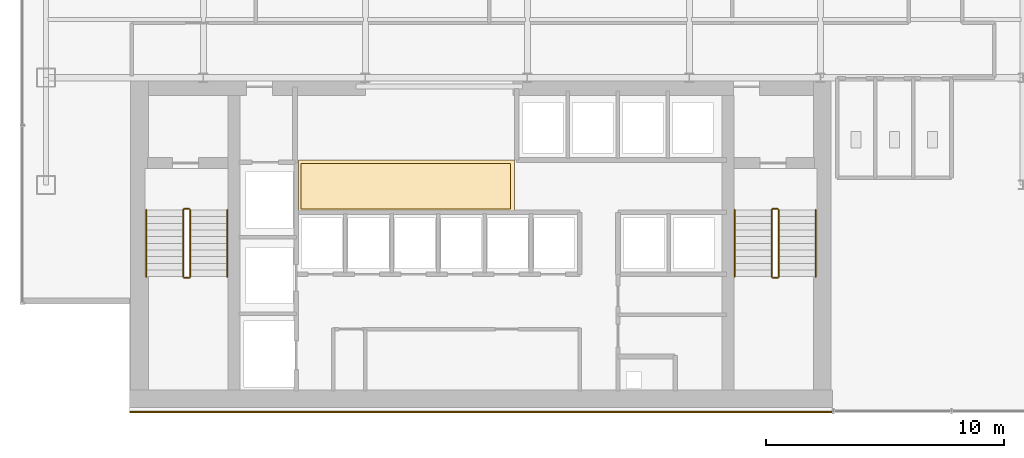
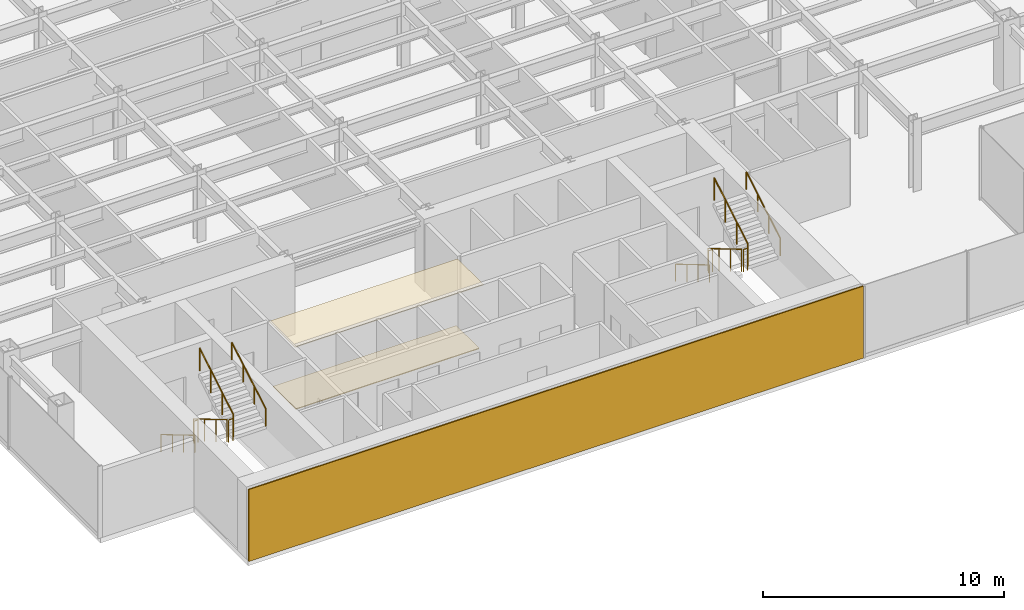
# One storey, part 24 of 26: 12 railings, 3 coverings.
"""IFC4 building model written with IfcOpenShell, lengths in metres."""

import ifcopenshell
import ifcopenshell.guid

model = None  # the IFC model being written
_history = None  # IfcOwnerHistory: only IFC2X3 demands one
_inside = {}  # id of a spatial element -> (the spatial element, [elements in it])
_under = {}  # id of a project, library or spatial element -> (it, [spatial elements below it])
_declared = {}  # id of a project -> (the project, [libraries it declares])
_typed = {}  # id of a type object -> (the type object, [elements of that type])
_made_of = {}  # id of a material, layer set ... -> (it, [elements and type objects made of it])


def new_model(schema):
    """Start an empty IFC model of exactly this schema.

    Asked for "IFC4X3", IfcOpenShell would pick the latest addendum, in which some entities
    have other attributes; the version numbers below select the first issue.
    IFC2X3 requires an IfcOwnerHistory on every rooted entity: one is made here for all.
    """
    global model, _history
    if schema == "IFC4X3":
        model = ifcopenshell.file(schema_version=(4, 3, 0, 0))
    else:
        model = ifcopenshell.file(schema=schema)
    _inside.clear()
    _under.clear()
    _declared.clear()
    _typed.clear()
    _made_of.clear()
    _history = None
    if model.schema == "IFC2X3":
        org = make("IfcOrganization", Name="unknown")
        user = make(
            "IfcPersonAndOrganization",
            ThePerson=make("IfcPerson", FamilyName="unknown"),
            TheOrganization=org,
        )
        app = make(
            "IfcApplication",
            ApplicationDeveloper=org,
            Version="unknown",
            ApplicationFullName="unknown",
            ApplicationIdentifier="unknown",
        )
        _history = make(
            "IfcOwnerHistory",
            OwningUser=user,
            OwningApplication=app,
            ChangeAction="ADDED",
            CreationDate=0,
        )
    return model


def make(cls, **values):
    """One entity of the class cls with the attributes given. An attribute that is None is left unset."""
    return model.create_entity(
        cls, **{name: value for name, value in values.items() if value is not None}
    )


def rooted(cls, **values):
    """An entity with a GlobalId (a new one), such as an element, a storey or a relation."""
    return make(cls, GlobalId=ifcopenshell.guid.new(), OwnerHistory=_history, **values)


def si_unit(unit_type, name, prefix=None):
    """IfcSIUnit, for example si_unit("LENGTHUNIT", "METRE", prefix="MILLI")."""
    return make("IfcSIUnit", UnitType=unit_type, Prefix=prefix, Name=name)


def derived_unit(unit_type, elements):
    """IfcDerivedUnit: a product of units, each with its exponent."""
    return make(
        "IfcDerivedUnit",
        Elements=[
            make("IfcDerivedUnitElement", Unit=unit, Exponent=power)
            for unit, power in elements
        ],
        UnitType=unit_type,
    )


def assignment(units):
    """IfcUnitAssignment: the units of a project."""
    return None if units is None else make("IfcUnitAssignment", Units=units)


def point(xyz):
    """IfcCartesianPoint."""
    return None if xyz is None else make("IfcCartesianPoint", Coordinates=xyz)


def direction(xyz):
    """IfcDirection."""
    return None if xyz is None else make("IfcDirection", DirectionRatios=xyz)


def frame(location, z_axis=None, x_axis=None):
    """IfcAxis2Placement3D, a coordinate frame: its origin and axes. An axis left out is left unset."""
    return make(
        "IfcAxis2Placement3D",
        Location=point(location),
        Axis=direction(z_axis),
        RefDirection=direction(x_axis),
    )


def frame_2d(location, x_axis=None):
    """IfcAxis2Placement2D, a coordinate frame in the plane: its origin and x axis."""
    return make(
        "IfcAxis2Placement2D", Location=point(location), RefDirection=direction(x_axis)
    )


def origin():
    """The frame at (0, 0, 0) with its axes left unset."""
    return frame((0.0, 0.0, 0.0))


def origin_2d():
    """The frame at (0, 0) in the plane with its x axis left unset."""
    return frame_2d((0.0, 0.0))


def place(relative_to, where):
    """IfcLocalPlacement: puts the frame where relative to a parent placement (None: the world)."""
    return make(
        "IfcLocalPlacement", PlacementRelTo=relative_to, RelativePlacement=where
    )


def context(
    kind, dimensions, precision=None, world=None, true_north=None, identifier=None
):
    """IfcGeometricRepresentationContext, for example the 3D "Model" context."""
    return make(
        "IfcGeometricRepresentationContext",
        ContextIdentifier=identifier,
        ContextType=kind,
        CoordinateSpaceDimension=dimensions,
        Precision=precision,
        WorldCoordinateSystem=world,
        TrueNorth=true_north,
    )


def subcontext(parent, identifier, kind, view, scale=None):
    """IfcGeometricRepresentationSubContext, for example "Body" below "Model"."""
    return make(
        "IfcGeometricRepresentationSubContext",
        ContextIdentifier=identifier,
        ContextType=kind,
        ParentContext=parent,
        TargetScale=scale,
        TargetView=view,
    )


def project(units=None, contexts=None):
    """IfcProject with its units and contexts."""
    return rooted(
        "IfcProject",
        Name="project",
        RepresentationContexts=contexts,
        UnitsInContext=assignment(units),
    )


def spatial(cls, under=None, at=None, **own):
    """A site, building, storey or space (cls), placed at a placement, below another one or the project."""
    s = rooted(cls, ObjectPlacement=at, **own)
    if under is not None:
        _under.setdefault(under.id(), (under, []))[1].append(s)
    return s


def polyline(points):
    """IfcPolyline through the points."""
    return make("IfcPolyline", Points=[point(p) for p in points])


def profile(cls, at=None, kind="AREA", **sizes):
    """A parametric profile (cls). Its sizes go by their IFC names, for example OverallWidth=200.0."""
    return make(cls, ProfileType=kind, Position=at, **sizes)


def rectangle(**sizes):
    """IfcRectangleProfileDef."""
    return profile("IfcRectangleProfileDef", **sizes)


def circle(**sizes):
    """IfcCircleProfileDef."""
    return profile("IfcCircleProfileDef", **sizes)


def outline(outer, holes=None, kind="AREA"):
    """IfcArbitraryClosedProfileDef: a profile drawn as a closed curve; with holes, ...WithVoids."""
    if holes is None:
        return make("IfcArbitraryClosedProfileDef", ProfileType=kind, OuterCurve=outer)
    return make(
        "IfcArbitraryProfileDefWithVoids",
        ProfileType=kind,
        OuterCurve=outer,
        InnerCurves=holes,
    )


def extrude(swept, where, along, depth):
    """IfcExtrudedAreaSolid: the profile swept, set in the frame where, extruded along a direction by depth."""
    return make(
        "IfcExtrudedAreaSolid",
        SweptArea=swept,
        Position=where,
        ExtrudedDirection=direction(along),
        Depth=depth,
    )


def shape(context_of_items, identifier, shape_type, items):
    """IfcShapeRepresentation: the items that make up one representation, for example the "Body"."""
    return make(
        "IfcShapeRepresentation",
        ContextOfItems=context_of_items,
        RepresentationIdentifier=identifier,
        RepresentationType=shape_type,
        Items=items,
    )


def source(mapping_origin, context_of_items, identifier, shape_type, items):
    """IfcRepresentationMap: a shape defined once, which mapped items show again and again."""
    return make(
        "IfcRepresentationMap",
        MappingOrigin=mapping_origin,
        MappedRepresentation=shape(context_of_items, identifier, shape_type, items),
    )


def transform(
    local_origin,
    x_axis=None,
    y_axis=None,
    z_axis=None,
    scale=None,
    scale2=None,
    scale3=None,
    uniform=True,
):
    """IfcCartesianTransformationOperator3D, or its non-uniform kind. x_axis, y_axis, z_axis: its Axis1, 2, 3."""
    if uniform:
        return make(
            "IfcCartesianTransformationOperator3D",
            Axis1=direction(x_axis),
            Axis2=direction(y_axis),
            LocalOrigin=point(local_origin),
            Scale=scale,
            Axis3=direction(z_axis),
        )
    return make(
        "IfcCartesianTransformationOperator3DnonUniform",
        Axis1=direction(x_axis),
        Axis2=direction(y_axis),
        LocalOrigin=point(local_origin),
        Scale=scale,
        Axis3=direction(z_axis),
        Scale2=scale2,
        Scale3=scale3,
    )


def mapped(mapping_source, mapping_target):
    """IfcMappedItem: shows the shape of a source again, moved by a transform."""
    return make(
        "IfcMappedItem", MappingSource=mapping_source, MappingTarget=mapping_target
    )


def material(Name=None, Category=None):
    """IfcMaterial."""
    return make("IfcMaterial", Name=Name, Category=Category)


def layer(
    of_material, thickness, ventilated=None, Name=None, Category=None, Priority=None
):
    """IfcMaterialLayer: one layer of a wall or slab, of a material (None: an air gap)."""
    return make(
        "IfcMaterialLayer",
        Material=of_material,
        LayerThickness=thickness,
        IsVentilated=ventilated,
        Name=Name,
        Category=Category,
        Priority=Priority,
    )


def layer_set(layers, Name=None):
    """IfcMaterialLayerSet."""
    return make("IfcMaterialLayerSet", MaterialLayers=layers, LayerSetName=Name)


def made_of(thing, what):
    """Note that an element or type object is made of a material, layer set ...; save() writes the relation."""
    if what is not None:
        _made_of.setdefault(what.id(), (what, []))[1].append(thing)
    return thing


def type_object(cls, material=None, **own):
    """A type object (cls), such as IfcWallType, which elements share."""
    return made_of(rooted(cls, **own), material)


def element(
    cls,
    number,
    at=None,
    inside=None,
    cuts=None,
    type_object=None,
    material=None,
    context=None,
    identifier="Body",
    shape_type=None,
    held_by="IfcProductDefinitionShape",
    body=None,
    shapes=None,
    **own,
):
    """One element of the class cls, such as IfcWall. Its Tag is "e" and its number.

    at: its placement. inside: the storey or other place that contains it. cuts: it is an
    opening in that element (IfcRelVoidsElement). A single representation is given by context,
    identifier, shape_type and body (its items); several are given by shapes. held_by: the class
    of the entity that holds the representations. save() writes the other relations.
    """
    e = rooted(cls, Tag="e%d" % number, ObjectPlacement=at, **own)
    if body is not None:
        shapes = [shape(context, identifier, shape_type, body)]
    if shapes is not None:
        e.Representation = make(held_by, Representations=shapes)
    if inside is not None:
        _inside.setdefault(inside.id(), (inside, []))[1].append(e)
    if cuts is not None:
        rooted(
            "IfcRelVoidsElement", RelatingBuildingElement=cuts, RelatedOpeningElement=e
        )
    if type_object is not None:
        _typed.setdefault(type_object.id(), (type_object, []))[1].append(e)
    return made_of(e, material)


def aggregate(whole, parts):
    """IfcRelAggregates: a whole, such as a stair, and the parts it consists of."""
    return rooted("IfcRelAggregates", RelatingObject=whole, RelatedObjects=parts)


def save(model, path):
    """Write the relations noted so far, then the file.

    IfcRelAggregates (storeys below a building ...), IfcRelContainedInSpatialStructure (elements
    in a storey), IfcRelDefinesByType, IfcRelAssociatesMaterial and IfcRelDeclares: one each for
    every whole, place, type object, material and project.
    """
    for whole, parts in _under.values():
        aggregate(whole, parts)
    for where, things in _inside.values():
        rooted(
            "IfcRelContainedInSpatialStructure",
            RelatedElements=things,
            RelatingStructure=where,
        )
    for kind, things in _typed.values():
        rooted("IfcRelDefinesByType", RelatedObjects=things, RelatingType=kind)
    for what, things in _made_of.values():
        rooted("IfcRelAssociatesMaterial", RelatedObjects=things, RelatingMaterial=what)
    for by, libraries in _declared.values():
        rooted("IfcRelDeclares", RelatingContext=by, RelatedDefinitions=libraries)
    model.write(path)


model = new_model("IFC4")

# Units and contexts
model_context = context("Model", 3, precision=1e-05, world=origin(), true_north=direction((0.0, 1.0)))
body_context = subcontext(model_context, "Body", "Model", "MODEL_VIEW")
ifc_project = project(units=[si_unit("LENGTHUNIT", "METRE"), si_unit("AREAUNIT", "SQUARE_METRE"), si_unit("VOLUMEUNIT", "CUBIC_METRE"), si_unit("PLANEANGLEUNIT", "RADIAN"), si_unit("MASSUNIT", "GRAM", prefix="KILO"), derived_unit("THERMALTRANSMITTANCEUNIT", [(si_unit("POWERUNIT", "WATT"), 1), (si_unit("LENGTHUNIT", "METRE"), -2), (si_unit("THERMODYNAMICTEMPERATUREUNIT", "KELVIN"), -1)])], contexts=[model_context])

# Site, building, storey
site_placement = place(None, origin())
site = spatial("IfcSite", under=ifc_project, at=site_placement, CompositionType="ELEMENT")
building_placement = place(site_placement, origin())
building = spatial("IfcBuilding", under=site, at=building_placement, Name="Skarnbrae Concourse Arena and Tower", CompositionType="ELEMENT")
storey_placement = place(building_placement, frame((0.0, 0.0, 103.25)))
storey = spatial("IfcBuildingStorey", under=building, at=storey_placement, Name="L25", CompositionType="ELEMENT", Elevation=103.25)

# Coverings
ifc_material_1 = material(Name="Mineral fibre acoustic ceiling tile", Category="other")
ifc_layer_1 = layer(ifc_material_1, 0.0400390625)
ifc_layer_set_1 = layer_set([ifc_layer_1], Name="Mineral fibre acoustic ceiling tile")
covering_type_1 = type_object("IfcCoveringType", Name="COV-CEIL-ACOUSTIC", PredefinedType="CEILING", material=ifc_layer_set_1)
covering_1_placement = place(storey_placement, frame((0.0, 0.0, 3.239990234375)))
element("IfcCovering", 1, at=covering_1_placement, inside=storey, type_object=covering_type_1, Name="L25 Lift lobby acoustic ceiling", PredefinedType="CEILING", context=body_context, shape_type="SweptSolid", body=[
    extrude(outline(polyline([(11.60009765625, 8.39990234375), (20.64990234375, 8.39990234375), (20.64990234375, 10.550048828125), (11.60009765625, 10.550048828125), (11.60009765625, 8.39990234375)])), origin(), (0.0, 0.0, 1.0), 0.0400390625),
])
ifc_material_2 = material(Name="Polished granite terrazzo flooring", Category="masonry")
ifc_layer_2 = layer(ifc_material_2, 0.0400390625)
ifc_layer_set_2 = layer_set([ifc_layer_2], Name="Polished granite terrazzo flooring")
covering_type_2 = type_object("IfcCoveringType", Name="COV-FLOOR-TERRAZZO", PredefinedType="FLOORING", material=ifc_layer_set_2)
covering_2_placement = place(storey_placement, origin())
element("IfcCovering", 2, at=covering_2_placement, inside=storey, type_object=covering_type_2, Name="L25 Lift lobby terrazzo flooring", PredefinedType="FLOORING", context=body_context, shape_type="SweptSolid", body=[
    extrude(outline(polyline([(11.699951171875, 8.5), (20.5, 8.5), (20.5, 10.39990234375), (11.699951171875, 10.39990234375), (11.699951171875, 8.5)])), origin(), (0.0, 0.0, 1.0), 0.0400390625),
])

# Railings
ifc_material_3 = material(Name="Steel CSA G40.21 350W", Category="steel")
railing_type_1 = type_object("IfcRailingType", Name="RAIL-HANDRAIL-900", PredefinedType="HANDRAIL", material=ifc_material_3)
railing_1_placement = place(storey_placement, frame((5.199951171875, 8.449951171875, 0.166015625)))
element("IfcRailing", 3, at=railing_1_placement, inside=storey, type_object=railing_type_1, Name="L25 ST-1 stair handrail 1", PredefinedType="HANDRAIL", context=body_context, shape_type="SweptSolid", body=[
    extrude(circle(Radius=0.02392578125, at=origin_2d()), frame((0.0, 0.0, 0.8759765625), z_axis=(0.0, -0.860339051648, 0.50972219513), x_axis=(1.0, 0.0, 0.0)), (0.0, 0.0, 1.0), 3.254638671875),
    extrude(circle(Radius=0.02099609375, at=origin_2d()), origin(), (0.0, 0.0, 1.0), 0.851806640625),
    extrude(circle(Radius=0.02099609375, at=origin_2d()), frame((0.0, -0.933349609375, 0.552978515625)), (0.0, 0.0, 1.0), 0.851806640625),
    extrude(circle(Radius=0.02099609375, at=origin_2d()), frame((0.0, -1.86669921875, 1.10595703125)), (0.0, 0.0, 1.0), 0.851806640625),
    extrude(circle(Radius=0.02099609375, at=origin_2d()), frame((0.0, -2.800048828125, 1.658935546875)), (0.0, 0.0, 1.0), 0.851806640625),
])
railing_2_placement = place(storey_placement, frame((8.60009765625, 5.64990234375, 1.990966796875)))
element("IfcRailing", 4, at=railing_2_placement, inside=storey, type_object=railing_type_1, Name="L25 ST-1 stair handrail 2", PredefinedType="HANDRAIL", context=body_context, shape_type="SweptSolid", body=[
    extrude(circle(Radius=0.02392578125, at=origin_2d()), frame((0.0, 0.0, 0.8759765625), z_axis=(0.0, 0.860339051648, 0.50972219513), x_axis=(-1.0, 0.0, 0.0)), (0.0, 0.0, 1.0), 3.254638671875),
    extrude(circle(Radius=0.02099609375, at=origin_2d()), origin(), (0.0, 0.0, 1.0), 0.851806640625),
    extrude(circle(Radius=0.02099609375, at=origin_2d()), frame((0.0, 0.933349609375, 0.552978515625)), (0.0, 0.0, 1.0), 0.851806640625),
    extrude(circle(Radius=0.02099609375, at=origin_2d()), frame((0.0, 1.86669921875, 1.10595703125)), (0.0, 0.0, 1.0), 0.851806640625),
    extrude(circle(Radius=0.02099609375, at=origin_2d()), frame((0.0, 2.800048828125, 1.658935546875)), (0.0, 0.0, 1.0), 0.851806640625),
])
railing_3_placement = place(storey_placement, frame((29.89990234375, 8.449951171875, 0.166015625)))
element("IfcRailing", 5, at=railing_3_placement, inside=storey, type_object=railing_type_1, Name="L25 ST-2 stair handrail 1", PredefinedType="HANDRAIL", context=body_context, shape_type="SweptSolid", body=[
    extrude(circle(Radius=0.02392578125, at=origin_2d()), frame((0.0, 0.0, 0.8759765625), z_axis=(0.0, -0.860339051648, 0.50972219513), x_axis=(1.0, 0.0, 0.0)), (0.0, 0.0, 1.0), 3.254638671875),
    extrude(circle(Radius=0.02099609375, at=origin_2d()), origin(), (0.0, 0.0, 1.0), 0.851806640625),
    extrude(circle(Radius=0.02099609375, at=origin_2d()), frame((0.0, -0.933349609375, 0.552978515625)), (0.0, 0.0, 1.0), 0.851806640625),
    extrude(circle(Radius=0.02099609375, at=origin_2d()), frame((0.0, -1.86669921875, 1.10595703125)), (0.0, 0.0, 1.0), 0.851806640625),
    extrude(circle(Radius=0.02099609375, at=origin_2d()), frame((0.0, -2.800048828125, 1.658935546875)), (0.0, 0.0, 1.0), 0.851806640625),
])
railing_4_placement = place(storey_placement, frame((33.300048828125, 5.64990234375, 1.990966796875)))
element("IfcRailing", 6, at=railing_4_placement, inside=storey, type_object=railing_type_1, Name="L25 ST-2 stair handrail 2", PredefinedType="HANDRAIL", context=body_context, shape_type="SweptSolid", body=[
    extrude(circle(Radius=0.02392578125, at=origin_2d()), frame((0.0, 0.0, 0.8759765625), z_axis=(0.0, 0.860339051648, 0.50972219513), x_axis=(-1.0, 0.0, 0.0)), (0.0, 0.0, 1.0), 3.254638671875),
    extrude(circle(Radius=0.02099609375, at=origin_2d()), origin(), (0.0, 0.0, 1.0), 0.851806640625),
    extrude(circle(Radius=0.02099609375, at=origin_2d()), frame((0.0, 0.933349609375, 0.552978515625)), (0.0, 0.0, 1.0), 0.851806640625),
    extrude(circle(Radius=0.02099609375, at=origin_2d()), frame((0.0, 1.86669921875, 1.10595703125)), (0.0, 0.0, 1.0), 0.851806640625),
    extrude(circle(Radius=0.02099609375, at=origin_2d()), frame((0.0, 2.800048828125, 1.658935546875)), (0.0, 0.0, 1.0), 0.851806640625),
])
railing_type_2 = type_object("IfcRailingType", Name="RAIL-STAIR-GUARD-1150", PredefinedType="GUARDRAIL", material=ifc_material_3)
railing_5_placement = place(storey_placement, frame((6.75, 8.449951171875, 0.166015625)))
element("IfcRailing", 7, at=railing_5_placement, inside=storey, type_object=railing_type_2, Name="L25 ST-1 stair guard 1", PredefinedType="GUARDRAIL", context=body_context, shape_type="SweptSolid", body=[
    extrude(circle(Radius=0.02392578125, at=origin_2d()), frame((0.0, 0.0, 1.1259765625), z_axis=(0.0, -0.860339051648, 0.50972219513), x_axis=(1.0, 0.0, 0.0)), (0.0, 0.0, 1.0), 3.254638671875),
    extrude(circle(Radius=0.02099609375, at=origin_2d()), origin(), (0.0, 0.0, 1.0), 1.101806640625),
    extrude(circle(Radius=0.02099609375, at=origin_2d()), frame((0.0, -0.933349609375, 0.552978515625)), (0.0, 0.0, 1.0), 1.101806640625),
    extrude(circle(Radius=0.02099609375, at=origin_2d()), frame((0.0, -1.86669921875, 1.10595703125)), (0.0, 0.0, 1.0), 1.101806640625),
    extrude(circle(Radius=0.02099609375, at=origin_2d()), frame((0.0, -2.800048828125, 1.658935546875)), (0.0, 0.0, 1.0), 1.101806640625),
])
railing_6_placement = place(storey_placement, frame((6.800048828125, 5.60009765625, 1.824951171875)))
element("IfcRailing", 8, at=railing_6_placement, inside=storey, type_object=railing_type_2, Name="L25 ST-1 stair guard 2", PredefinedType="GUARDRAIL", context=body_context, shape_type="SweptSolid", body=[
    extrude(circle(Radius=0.02392578125, at=origin_2d()), frame((0.0, 0.0, 1.1259765625), z_axis=(1.0, 0.0, 0.0), x_axis=(0.0, 1.0, 0.0)), (0.0, 0.0, 1.0), 0.199951171875),
    extrude(circle(Radius=0.02099609375, at=origin_2d()), origin(), (0.0, 0.0, 1.0), 1.101806640625),
    extrude(circle(Radius=0.02099609375, at=origin_2d()), frame((0.199951171875, 0.0, 0.0)), (0.0, 0.0, 1.0), 1.101806640625),
])
railing_7_placement = place(storey_placement, frame((7.050048828125, 5.64990234375, 1.990966796875)))
element("IfcRailing", 9, at=railing_7_placement, inside=storey, type_object=railing_type_2, Name="L25 ST-1 stair guard 3", PredefinedType="GUARDRAIL", context=body_context, shape_type="SweptSolid", body=[
    extrude(circle(Radius=0.02392578125, at=origin_2d()), frame((0.0, 0.0, 1.1259765625), z_axis=(0.0, 0.860339051648, 0.50972219513), x_axis=(-1.0, 0.0, 0.0)), (0.0, 0.0, 1.0), 3.254638671875),
    extrude(circle(Radius=0.02099609375, at=origin_2d()), origin(), (0.0, 0.0, 1.0), 1.101806640625),
    extrude(circle(Radius=0.02099609375, at=origin_2d()), frame((0.0, 0.933349609375, 0.552978515625)), (0.0, 0.0, 1.0), 1.101806640625),
    extrude(circle(Radius=0.02099609375, at=origin_2d()), frame((0.0, 1.86669921875, 1.10595703125)), (0.0, 0.0, 1.0), 1.101806640625),
    extrude(circle(Radius=0.02099609375, at=origin_2d()), frame((0.0, 2.800048828125, 1.658935546875)), (0.0, 0.0, 1.0), 1.101806640625),
])
railing_8_placement = place(storey_placement, frame((6.800048828125, 8.5, 0.0)))
element("IfcRailing", 10, at=railing_8_placement, inside=storey, type_object=railing_type_2, Name="L25 ST-1 stair guard 4", PredefinedType="GUARDRAIL", context=body_context, shape_type="SweptSolid", body=[
    extrude(circle(Radius=0.02392578125, at=origin_2d()), frame((0.0, 0.0, 1.1259765625), z_axis=(1.0, 0.0, 0.0), x_axis=(0.0, 1.0, 0.0)), (0.0, 0.0, 1.0), 0.199951171875),
    extrude(circle(Radius=0.02099609375, at=origin_2d()), origin(), (0.0, 0.0, 1.0), 1.101806640625),
    extrude(circle(Radius=0.02099609375, at=origin_2d()), frame((0.199951171875, 0.0, 0.0)), (0.0, 0.0, 1.0), 1.101806640625),
])
railing_9_placement = place(storey_placement, frame((31.449951171875, 8.449951171875, 0.166015625)))
element("IfcRailing", 11, at=railing_9_placement, inside=storey, type_object=railing_type_2, Name="L25 ST-2 stair guard 1", PredefinedType="GUARDRAIL", context=body_context, shape_type="SweptSolid", body=[
    extrude(circle(Radius=0.02392578125, at=origin_2d()), frame((0.0, 0.0, 1.1259765625), z_axis=(0.0, -0.860339051648, 0.50972219513), x_axis=(1.0, 0.0, 0.0)), (0.0, 0.0, 1.0), 3.254638671875),
    extrude(circle(Radius=0.02099609375, at=origin_2d()), origin(), (0.0, 0.0, 1.0), 1.101806640625),
    extrude(circle(Radius=0.02099609375, at=origin_2d()), frame((0.0, -0.933349609375, 0.552978515625)), (0.0, 0.0, 1.0), 1.101806640625),
    extrude(circle(Radius=0.02099609375, at=origin_2d()), frame((0.0, -1.86669921875, 1.10595703125)), (0.0, 0.0, 1.0), 1.101806640625),
    extrude(circle(Radius=0.02099609375, at=origin_2d()), frame((0.0, -2.800048828125, 1.658935546875)), (0.0, 0.0, 1.0), 1.101806640625),
])
railing_10_placement = place(storey_placement, frame((31.5, 5.60009765625, 1.824951171875)))
element("IfcRailing", 12, at=railing_10_placement, inside=storey, type_object=railing_type_2, Name="L25 ST-2 stair guard 2", PredefinedType="GUARDRAIL", context=body_context, shape_type="SweptSolid", body=[
    extrude(circle(Radius=0.02392578125, at=origin_2d()), frame((0.0, 0.0, 1.1259765625), z_axis=(1.0, 0.0, 0.0), x_axis=(0.0, 1.0, 0.0)), (0.0, 0.0, 1.0), 0.199951171875),
    extrude(circle(Radius=0.02099609375, at=origin_2d()), origin(), (0.0, 0.0, 1.0), 1.101806640625),
    extrude(circle(Radius=0.02099609375, at=origin_2d()), frame((0.199951171875, 0.0, 0.0)), (0.0, 0.0, 1.0), 1.101806640625),
])
railing_11_placement = place(storey_placement, frame((31.75, 5.64990234375, 1.990966796875)))
element("IfcRailing", 13, at=railing_11_placement, inside=storey, type_object=railing_type_2, Name="L25 ST-2 stair guard 3", PredefinedType="GUARDRAIL", context=body_context, shape_type="SweptSolid", body=[
    extrude(circle(Radius=0.02392578125, at=origin_2d()), frame((0.0, 0.0, 1.1259765625), z_axis=(0.0, 0.860339051648, 0.50972219513), x_axis=(-1.0, 0.0, 0.0)), (0.0, 0.0, 1.0), 3.254638671875),
    extrude(circle(Radius=0.02099609375, at=origin_2d()), origin(), (0.0, 0.0, 1.0), 1.101806640625),
    extrude(circle(Radius=0.02099609375, at=origin_2d()), frame((0.0, 0.933349609375, 0.552978515625)), (0.0, 0.0, 1.0), 1.101806640625),
    extrude(circle(Radius=0.02099609375, at=origin_2d()), frame((0.0, 1.86669921875, 1.10595703125)), (0.0, 0.0, 1.0), 1.101806640625),
    extrude(circle(Radius=0.02099609375, at=origin_2d()), frame((0.0, 2.800048828125, 1.658935546875)), (0.0, 0.0, 1.0), 1.101806640625),
])
railing_12_placement = place(storey_placement, frame((31.5, 8.5, 0.0)))
element("IfcRailing", 14, at=railing_12_placement, inside=storey, type_object=railing_type_2, Name="L25 ST-2 stair guard 4", PredefinedType="GUARDRAIL", context=body_context, shape_type="SweptSolid", body=[
    extrude(circle(Radius=0.02392578125, at=origin_2d()), frame((0.0, 0.0, 1.1259765625), z_axis=(1.0, 0.0, 0.0), x_axis=(0.0, 1.0, 0.0)), (0.0, 0.0, 1.0), 0.199951171875),
    extrude(circle(Radius=0.02099609375, at=origin_2d()), origin(), (0.0, 0.0, 1.0), 1.101806640625),
    extrude(circle(Radius=0.02099609375, at=origin_2d()), frame((0.199951171875, 0.0, 0.0)), (0.0, 0.0, 1.0), 1.101806640625),
])

# Covering
ifc_material_4 = material(Name="Bronze anodised aluminium 6063-T6", Category="aluminium")
ifc_layer_3 = layer(ifc_material_4, 0.06005859375)
ifc_layer_set_3 = layer_set([ifc_layer_3], Name="Bronze anodised aluminium 6063-T6")
covering_type_3 = type_object("IfcCoveringType", Name="COV-CLAD-BRONZE-60", PredefinedType="CLADDING", material=ifc_layer_set_3)
shared_shape = source(origin(), body_context, "Body", "SweptSolid", [
    extrude(rectangle(XDim=29.5, YDim=0.06005859375, at=origin_2d()), origin(), (0.0, 0.0, 1.0), 3.64990234375),
])
covering_3_placement = place(storey_placement, frame((19.25, -0.030029296875, 0.0), z_axis=(0.0, 0.0, 1.0), x_axis=(1.0, 0.0, 0.0)))
element("IfcCovering", 15, at=covering_3_placement, inside=storey, type_object=covering_type_3, Name="L25 Rear-core plumb spine bronze rainscreen panel", PredefinedType="CLADDING", context=body_context, shape_type="MappedRepresentation", body=[
    mapped(shared_shape, transform((0.0, 0.0, 0.0))),
])

save(model, "model.ifc")
